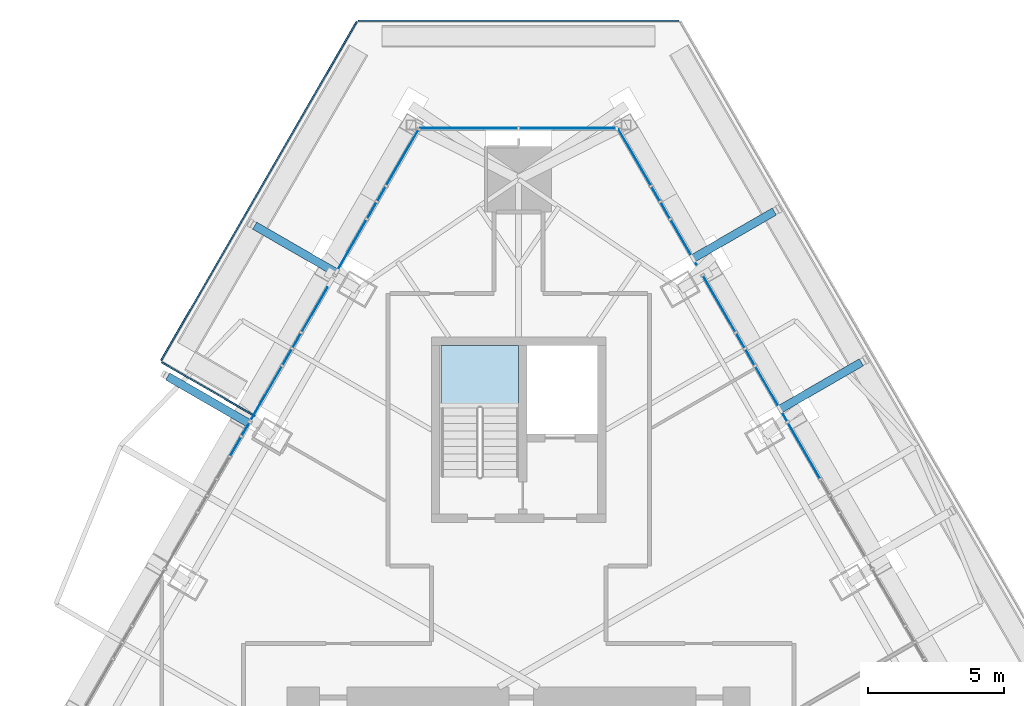
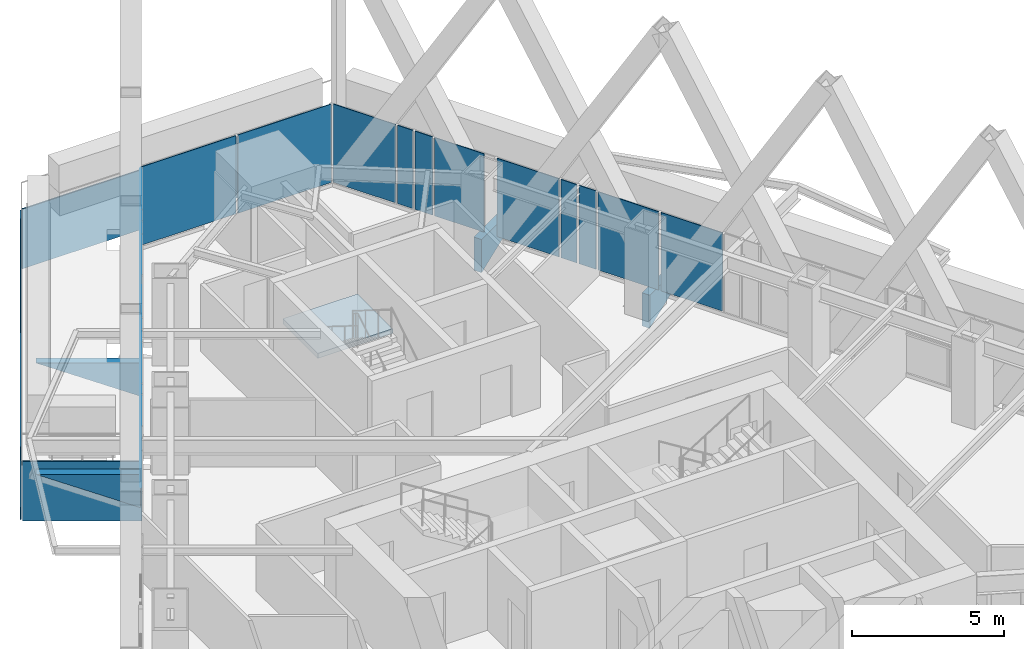
# One storey, part 15 of 23: 29 plates, 1 slab, 4 elements without a shape of their own.
"""IFC4 building model written with IfcOpenShell, lengths in metres."""

from ifc_helpers import new_model, si_unit, direction, frame, origin, place, context, subcontext, project, spatial, polyline, outline, extrude, material, layer, layer_set, type_object, element, aggregate, save


model = new_model("IFC4")

# Units and contexts
model_context = context("Model", 3, precision=1e-05, world=origin(), true_north=direction((0.0, 1.0)))
body_context = subcontext(model_context, "Body", "Model", "MODEL_VIEW")
ifc_project = project(units=[si_unit("LENGTHUNIT", "METRE"), si_unit("AREAUNIT", "SQUARE_METRE"), si_unit("VOLUMEUNIT", "CUBIC_METRE"), si_unit("PLANEANGLEUNIT", "RADIAN"), si_unit("MASSUNIT", "GRAM", prefix="KILO")], contexts=[model_context])

# Site, building, storey
site_placement = place(None, origin())
site = spatial("IfcSite", under=ifc_project, at=site_placement, CompositionType="ELEMENT")
building_placement = place(site_placement, origin())
building = spatial("IfcBuilding", under=site, at=building_placement, Name="Firuza Gate Tower and Library", CompositionType="ELEMENT")
storey_placement = place(building_placement, frame((0.0, 0.0, 291.60009765625)))
storey = spatial("IfcBuildingStorey", under=building, at=storey_placement, Name="L70", CompositionType="ELEMENT", Elevation=291.60009765625)

# Curtain wall, plates
ifc_material_1 = material(Name="Aluminium 6063-T6", Category="aluminium")
ifc_layer_1 = layer(ifc_material_1, 0.14990234375)
ifc_layer_set_1 = layer_set([ifc_layer_1], Name="Corner curtain wall, chamfers")
curtain_wall_type_1 = type_object("IfcCurtainWallType", Name="Corner curtain wall, chamfers", PredefinedType="NOTDEFINED", material=ifc_layer_set_1)
placement = place(storey_placement, origin())
curtain_wall_1 = element("IfcCurtainWall", 1, at=placement, inside=storey, type_object=curtain_wall_type_1, Name="CW4 L70 N corner", PredefinedType="NOTDEFINED")
ifc_material_2 = material(Name="Fritted glass", Category="glass")
ifc_layer_2 = layer(ifc_material_2, 0.030029296875)
ifc_layer_set_2 = layer_set([ifc_layer_2], Name="Fritted glass unit, corners")
plate_type_1 = type_object("IfcPlateType", Name="Fritted glass unit, corners", PredefinedType="CURTAIN_PANEL", material=ifc_layer_set_2)
plate_1_placement = place(storey_placement, frame((78.603271484375, 102.279296875, 0.14990234375), z_axis=(0.0, 1.0, 0.0), x_axis=(-1.0, 0.0, 0.0)))
plate_1 = element("IfcPlate", 2, at=plate_1_placement, type_object=plate_type_1, Name="Glass unit", PredefinedType="CURTAIN_PANEL", context=body_context, shape_type="SweptSolid", body=[
    extrude(outline(polyline([(0.0, 0.0), (3.563232421875, 0.0), (3.563232421875, 3.14990234375), (0.0, 3.14990234375), (0.0, 0.0)])), origin(), (0.0, 0.0, -1.0), 0.030029296875),
])
plate_2_placement = place(storey_placement, frame((74.9599609375, 102.279296875, 0.14990234375), z_axis=(0.0, 1.0, 0.0), x_axis=(-1.0, 0.0, 0.0)))
plate_2 = element("IfcPlate", 3, at=plate_2_placement, type_object=plate_type_1, Name="Glass unit", PredefinedType="CURTAIN_PANEL", context=body_context, shape_type="SweptSolid", body=[
    extrude(outline(polyline([(0.0, 0.0), (3.563232421875, 0.0), (3.563232421875, 3.14990234375), (0.0, 3.14990234375), (0.0, 0.0)])), origin(), (0.0, 0.0, -1.0), 0.030029296875),
])
aggregate(curtain_wall_1, [plate_1, plate_2])

ifc_material_3 = material(Name="Aluminium 6063-T6", Category="aluminium")
ifc_layer_3 = layer(ifc_material_3, 0.14990234375)
ifc_layer_set_3 = layer_set([ifc_layer_3], Name="Unitised curtain wall, residences")
curtain_wall_type_2 = type_object("IfcCurtainWallType", Name="Unitised curtain wall, residences", PredefinedType="NOTDEFINED", material=ifc_layer_set_3)
curtain_wall_2 = element("IfcCurtainWall", 4, at=placement, inside=storey, type_object=curtain_wall_type_2, Name="CW3 L70 E face", PredefinedType="NOTDEFINED")
ifc_material_4 = material(Name="Fritted glass", Category="glass")
ifc_layer_4 = layer(ifc_material_4, 0.030029296875)
ifc_layer_set_4 = layer_set([ifc_layer_4], Name="Fritted glass unit, residences")
plate_type_2 = type_object("IfcPlateType", Name="Fritted glass unit, residences", PredefinedType="CURTAIN_PANEL", material=ifc_layer_set_4)
plate_3_placement = place(storey_placement, frame((83.6689453125, 93.589599609375, 0.14990234375), z_axis=(0.865934103889, 0.500158102726, 0.0), x_axis=(-0.500158102726, 0.865934103889, 0.0)))
plate_3 = element("IfcPlate", 5, at=plate_3_placement, type_object=plate_type_2, Name="Glass unit", PredefinedType="CURTAIN_PANEL", context=body_context, shape_type="SweptSolid", body=[
    extrude(outline(polyline([(0.0, 0.0), (0.6467681446368728, 0.0), (0.6467681446368728, 3.149902343750001), (0.0, 3.149902343750001), (0.0, 0.0)])), origin(), (0.0, 0.0, -1.0), 0.030029296875),
])
plate_4_placement = place(storey_placement, frame((83.3056640625, 94.218994140625, 0.14990234375), z_axis=(0.866022320763, 0.500005339912, 0.0), x_axis=(-0.500005339912, 0.866022320763, 0.0)))
plate_4 = element("IfcPlate", 6, at=plate_4_placement, type_object=plate_type_2, Name="Glass unit", PredefinedType="CURTAIN_PANEL", context=body_context, shape_type="SweptSolid", body=[
    extrude(outline(polyline([(0.0, 0.0), (0.5976498672044789, 0.0), (0.5976498672044789, 3.14990234375), (0.0, 3.14990234375), (0.0, 0.0)])), origin(), (0.0, 0.0, -1.0), 0.030029296875),
])
plate_5_placement = place(storey_placement, frame((80.5625, 98.970458984375, 0.14990234375), z_axis=(0.865932775861, 0.500160401961, 0.0), x_axis=(-0.500160401961, 0.865932775861, 0.0)))
plate_5 = element("IfcPlate", 7, at=plate_5_placement, type_object=plate_type_2, Name="Glass unit", PredefinedType="CURTAIN_PANEL", context=body_context, shape_type="SweptSolid", body=[
    extrude(outline(polyline([(0.0, 0.0), (0.6594564125459034, 0.0), (0.6594564125459034, 3.14990234375), (0.0, 3.14990234375), (0.0, 0.0)])), origin(), (0.0, 0.0, -1.0), 0.030029296875),
])
plate_6_placement = place(storey_placement, frame((80.192626953125, 99.610595703125, 0.14990234375), z_axis=(0.866130014302, 0.499818765479, 0.0), x_axis=(-0.499818765479, 0.866130014302, 0.0)))
plate_6 = element("IfcPlate", 8, at=plate_6_placement, type_object=plate_type_2, Name="Glass unit", PredefinedType="CURTAIN_PANEL", context=body_context, shape_type="SweptSolid", body=[
    extrude(outline(polyline([(0.0, 0.0), (0.5851730446130646, 0.0), (0.5851730446130646, 3.14990234375), (0.0, 3.14990234375), (0.0, 0.0)])), origin(), (0.0, 0.0, -1.0), 0.030029296875),
])

curtain_wall_3 = element("IfcCurtainWall", 9, at=placement, inside=storey, type_object=curtain_wall_type_2, Name="CW3 L70 W face", PredefinedType="NOTDEFINED")
plate_7_placement = place(storey_placement, frame((70.099853515625, 100.117431640625, 0.14990234375), z_axis=(-0.866130014302, 0.499818765479, 0.0), x_axis=(-0.499818765479, -0.866130014302, 0.0)))
plate_7 = element("IfcPlate", 10, at=plate_7_placement, type_object=plate_type_2, Name="Glass unit", PredefinedType="CURTAIN_PANEL", context=body_context, shape_type="SweptSolid", body=[
    extrude(outline(polyline([(0.0, 0.0), (0.5851730446130646, 0.0), (0.5851730446130646, 3.14990234375), (0.0, 3.14990234375), (0.0, 0.0)])), origin(), (0.0, 0.0, -1.0), 0.030029296875),
])
plate_8_placement = place(storey_placement, frame((69.767333984375, 99.54150390625, 0.14990234375), z_axis=(-0.865932775861, 0.500160401961, 0.0), x_axis=(-0.500160401961, -0.865932775861, 0.0)))
plate_8 = element("IfcPlate", 11, at=plate_8_placement, type_object=plate_type_2, Name="Glass unit", PredefinedType="CURTAIN_PANEL", context=body_context, shape_type="SweptSolid", body=[
    extrude(outline(polyline([(0.0, 0.0), (0.6594564125459034, 0.0), (0.6594564125459034, 3.14990234375), (0.0, 3.14990234375), (0.0, 0.0)])), origin(), (0.0, 0.0, -1.0), 0.030029296875),
])
plate_9_placement = place(storey_placement, frame((66.9931640625, 94.736572265625, 0.14990234375), z_axis=(-0.866022320763, 0.500005339912, 0.0), x_axis=(-0.500005339912, -0.866022320763, 0.0)))
plate_9 = element("IfcPlate", 12, at=plate_9_placement, type_object=plate_type_2, Name="Glass unit", PredefinedType="CURTAIN_PANEL", context=body_context, shape_type="SweptSolid", body=[
    extrude(outline(polyline([(0.0, 0.0), (0.5976498672044789, 0.0), (0.5976498672044789, 3.14990234375), (0.0, 3.14990234375), (0.0, 0.0)])), origin(), (0.0, 0.0, -1.0), 0.030029296875),
])
plate_10_placement = place(storey_placement, frame((66.654541015625, 94.149658203125, 0.14990234375), z_axis=(-0.865934103889, 0.500158102726, 0.0), x_axis=(-0.500158102726, -0.865934103889, 0.0)))
plate_10 = element("IfcPlate", 13, at=plate_10_placement, type_object=plate_type_2, Name="Glass unit", PredefinedType="CURTAIN_PANEL", context=body_context, shape_type="SweptSolid", body=[
    extrude(outline(polyline([(0.0, 0.0), (0.6467681446368728, 0.0), (0.6467681446368728, 3.149902343750001), (0.0, 3.149902343750001), (0.0, 0.0)])), origin(), (0.0, 0.0, -1.0), 0.030029296875),
])
plate_11_placement = place(storey_placement, frame((65.097900390625, 91.453857421875, 1.764892578125), z_axis=(-0.865971243484, 0.500093796661, 0.0), x_axis=(-0.500093796661, -0.865971243484, 0.0)))
plate_11 = element("IfcPlate", 14, at=plate_11_placement, type_object=plate_type_2, Name="Glass unit", PredefinedType="CURTAIN_PANEL", context=body_context, shape_type="SweptSolid", body=[
    extrude(outline(polyline([(0.0, 0.0), (0.5311503597390093, 0.0), (0.5311503597390093, 1.534912109375), (0.0, 1.534912109375), (0.0, 0.0)])), origin(), (0.0, 0.0, -1.0), 0.030029296875),
])

# Plate
ifc_material_5 = material(Name="Glazed ceramic tile")
ifc_layer_5 = layer(ifc_material_5, 0.030029296875)
ifc_layer_set_5 = layer_set([ifc_layer_5], Name="Opaque ceramic panel, residences")
plate_type_3 = type_object("IfcPlateType", Name="Opaque ceramic panel, residences", PredefinedType="CURTAIN_PANEL", material=ifc_layer_set_5)
plate_12_placement = place(storey_placement, frame((86.073486328125, 89.4248046875, 0.14990234375), z_axis=(0.866041560861, 0.499972014079, 0.0), x_axis=(-0.499972014079, 0.866041560861, 0.0)))
plate_12 = element("IfcPlate", 15, at=plate_12_placement, type_object=plate_type_3, Name="Opaque ceramic panel", PredefinedType="CURTAIN_PANEL", context=body_context, shape_type="SweptSolid", body=[
    extrude(outline(polyline([(0.0, 0.0), (2.342904574185333, 0.0), (2.342904574185333, 3.1499023437499996), (0.0, 3.1499023437499996), (0.0, 0.0)])), origin(), (0.0, 0.0, -1.0), 0.030029296875),
])

plate_13_placement = place(storey_placement, frame((84.862060546875, 91.523193359375, 0.14990234375), z_axis=(0.866012805984, 0.500021819396, 0.0), x_axis=(-0.500021819396, 0.866012805984, 0.0)))
plate_13 = element("IfcPlate", 16, at=plate_13_placement, type_object=plate_type_3, Name="Opaque ceramic panel", PredefinedType="CURTAIN_PANEL", context=body_context, shape_type="SweptSolid", body=[
    extrude(outline(polyline([(0.0, 0.0), (2.3060517104381577, 0.0), (2.3060517104381577, 3.14990234375), (0.0, 3.14990234375), (0.0, 0.0)])), origin(), (0.0, 0.0, -1.0), 0.030029296875),
])

plate_14_placement = place(storey_placement, frame((82.966796875, 94.8056640625, 0.14990234375), z_axis=(0.866040610509, 0.499973660256, 0.0), x_axis=(-0.499973660256, 0.866040610509, 0.0)))
plate_14 = element("IfcPlate", 17, at=plate_14_placement, type_object=plate_type_3, Name="Opaque ceramic panel", PredefinedType="CURTAIN_PANEL", context=body_context, shape_type="SweptSolid", body=[
    extrude(outline(polyline([(0.0, 0.0), (2.3555928414270833, 0.0), (2.3555928414270833, 3.14990234375), (0.0, 3.14990234375), (0.0, 0.0)])), origin(), (0.0, 0.0, -1.0), 0.030029296875),
])

plate_15_placement = place(storey_placement, frame((81.541015625, 97.275146484375, 0.14990234375), z_axis=(0.86603400694, 0.499985098601, 0.0), x_axis=(-0.499985098601, 0.86603400694, 0.0)))
plate_15 = element("IfcPlate", 18, at=plate_15_placement, type_object=plate_type_3, Name="Opaque ceramic panel", PredefinedType="CURTAIN_PANEL", context=body_context, shape_type="SweptSolid", body=[
    extrude(outline(polyline([(0.0, 0.0), (1.8774973609235277, 0.0), (1.8774973609235277, 3.14990234375), (0.0, 3.14990234375), (0.0, 0.0)])), origin(), (0.0, 0.0, -1.0), 0.030029296875),
])

plate_16_placement = place(storey_placement, frame((79.860107421875, 100.186767578125, 0.14990234375), z_axis=(0.866032766724, 0.499987246797, 0.0), x_axis=(-0.499987246797, 0.866032766724, 0.0)))
plate_16 = element("IfcPlate", 19, at=plate_16_placement, type_object=plate_type_3, Name="Opaque ceramic panel", PredefinedType="CURTAIN_PANEL", context=body_context, shape_type="SweptSolid", body=[
    extrude(outline(polyline([(0.0, 0.0), (2.36773617369069, 0.0), (2.36773617369069, 3.14990234375), (0.0, 3.14990234375), (0.0, 0.0)])), origin(), (0.0, 0.0, -1.0), 0.030029296875),
])

aggregate(curtain_wall_2, [plate_12, plate_13, plate_3, plate_4, plate_14, plate_15, plate_5, plate_6, plate_16])

plate_17_placement = place(storey_placement, frame((71.32373046875, 102.2373046875, 0.14990234375), z_axis=(-0.866032766724, 0.499987246797, 0.0), x_axis=(-0.499987246797, -0.866032766724, 0.0)))
plate_17 = element("IfcPlate", 20, at=plate_17_placement, type_object=plate_type_3, Name="Opaque ceramic panel", PredefinedType="CURTAIN_PANEL", context=body_context, shape_type="SweptSolid", body=[
    extrude(outline(polyline([(0.0, 0.0), (2.36773617369069, 0.0), (2.36773617369069, 3.14990234375), (0.0, 3.14990234375), (0.0, 0.0)])), origin(), (0.0, 0.0, -1.0), 0.030029296875),
])

plate_18_placement = place(storey_placement, frame((69.397705078125, 98.901123046875, 0.14990234375), z_axis=(-0.866040235429, 0.499974309957, 0.0), x_axis=(-0.499974309957, -0.866040235429, 0.0)))
plate_18 = element("IfcPlate", 21, at=plate_18_placement, type_object=plate_type_3, Name="Opaque ceramic panel", PredefinedType="CURTAIN_PANEL", context=body_context, shape_type="SweptSolid", body=[
    extrude(outline(polyline([(0.0, 0.0), (2.2935748753231344, 0.0), (2.2935748753231344, 3.14990234375), (0.0, 3.14990234375), (0.0, 0.0)])), origin(), (0.0, 0.0, -1.0), 0.030029296875),
])

plate_19_placement = place(storey_placement, frame((67.971923828125, 96.431640625, 0.14990234375), z_axis=(-0.86603400694, 0.499985098601, 0.0), x_axis=(-0.499985098601, -0.86603400694, 0.0)))
plate_19 = element("IfcPlate", 22, at=plate_19_placement, type_object=plate_type_3, Name="Opaque ceramic panel", PredefinedType="CURTAIN_PANEL", context=body_context, shape_type="SweptSolid", body=[
    extrude(outline(polyline([(0.0, 0.0), (1.8774973609235277, 0.0), (1.8774973609235277, 3.14990234375), (0.0, 3.14990234375), (0.0, 0.0)])), origin(), (0.0, 0.0, -1.0), 0.030029296875),
])

plate_20_placement = place(storey_placement, frame((66.291015625, 93.520263671875, 0.14990234375), z_axis=(-0.866012805984, 0.500021819396, 0.0), x_axis=(-0.500021819396, -0.866012805984, 0.0)))
plate_20 = element("IfcPlate", 23, at=plate_20_placement, type_object=plate_type_3, Name="Opaque ceramic panel", PredefinedType="CURTAIN_PANEL", context=body_context, shape_type="SweptSolid", body=[
    extrude(outline(polyline([(0.0, 0.0), (2.3060517104381577, 0.0), (2.3060517104381577, 3.14990234375), (0.0, 3.14990234375), (0.0, 0.0)])), origin(), (0.0, 0.0, -1.0), 0.030029296875),
])

plate_21_placement = place(storey_placement, frame((65.097900390625, 91.453857421875, 0.14990234375), z_axis=(-0.866036123695, 0.499981432111, 0.0), x_axis=(-0.499981432111, -0.866036123695, 0.0)))
plate_21 = element("IfcPlate", 24, at=plate_21_placement, type_object=plate_type_3, Name="Opaque ceramic panel", PredefinedType="CURTAIN_PANEL", context=body_context, shape_type="SweptSolid", body=[
    extrude(outline(polyline([(0.0, 0.0), (1.3872585481760817, 0.0), (1.3872585481760817, 1.534912109375), (0.0, 1.534912109375), (0.0, 0.0)])), origin(), (0.0, 0.0, -1.0), 0.030029296875),
])

plate_22_placement = place(storey_placement, frame((64.792236328125, 90.924560546875, 1.764892578125), z_axis=(-0.866065857643, 0.499929925314, 0.0), x_axis=(-0.499929925314, -0.866065857643, 0.0)))
plate_22 = element("IfcPlate", 25, at=plate_22_placement, type_object=plate_type_3, Name="Opaque ceramic panel", PredefinedType="CURTAIN_PANEL", context=body_context, shape_type="SweptSolid", body=[
    extrude(outline(polyline([(0.0, 0.0), (1.7316880074869725, 0.0), (1.7316880074869725, 1.534912109375), (0.0, 1.534912109375), (0.0, 0.0)])), origin(), (0.0, 0.0, -1.0), 0.030029296875),
])

aggregate(curtain_wall_3, [plate_17, plate_7, plate_8, plate_18, plate_19, plate_9, plate_10, plate_20, plate_21, plate_11, plate_22])

# Stair, slab
ifc_material_6 = material(Name="Concrete C35/45", Category="concrete")
stair_type = type_object("IfcStairType", Name="Exit stair ST17", PredefinedType="HALF_TURN_STAIR", material=ifc_material_6)
stair = element("IfcStair", 26, at=placement, inside=storey, type_object=stair_type, Name="L70 Stair ST3", PredefinedType="HALF_TURN_STAIR")
ifc_material_7 = material(Name="Concrete C35/45", Category="concrete")
ifc_layer_6 = layer(ifc_material_7, 0.199951171875)
ifc_layer_set_6 = layer_set([ifc_layer_6], Name="Stair landing 200")
slab_type = type_object("IfcSlabType", Name="Stair landing 200", PredefinedType="LANDING", material=ifc_layer_set_6)
slab_placement = place(storey_placement, frame((0.0, 0.0, 1.5498046875)))
slab = element("IfcSlab", 27, at=slab_placement, type_object=slab_type, Name="ST3 landing 1", PredefinedType="LANDING", context=body_context, shape_type="SweptSolid", body=[
    extrude(outline(polyline([(75.0, 91.989990234375), (75.0, 94.300048828125), (72.159912109375, 94.300048828125), (72.159912109375, 91.989990234375), (75.0, 91.989990234375)])), origin(), (0.0, 0.0, 1.0), 0.2001953125),
])
aggregate(stair, [slab])

# Plates
ifc_material_8 = material(Name="Steel S355", Category="steel")
ifc_layer_7 = layer(ifc_material_8, 0.300048828125)
ifc_layer_set_7 = layer_set([ifc_layer_7], Name="Tray bracket web 300 Steel S355")
plate_type_4 = type_object("IfcPlateType", Name="Tray bracket web 300 Steel S355", PredefinedType="SHEET", material=ifc_layer_set_7)
plate_23_placement = place(storey_placement, frame((84.534912109375, 92.091064453125, -0.2001953125), z_axis=(-0.500028509433, 0.86600894323, 0.0), x_axis=(0.86600894323, 0.500028509433, 0.0)))
element("IfcPlate", 28, at=plate_23_placement, inside=storey, type_object=plate_type_4, Name="Tray bracket web L70 col:L69:E5", PredefinedType="SHEET", context=body_context, shape_type="SweptSolid", body=[
    extrude(outline(polyline([(0.0, 0.0), (3.4294919542601163, 0.0), (0.0, 1.333984375), (0.0, 0.0)])), origin(), (0.0, 0.0, -1.0), 0.300048828125),
])
plate_24_placement = place(storey_placement, frame((81.340087890625, 97.625, -0.2001953125), z_axis=(-0.499868315584, 0.86610141847, 0.0), x_axis=(0.86610141847, 0.499868315584, 0.0)))
element("IfcPlate", 29, at=plate_24_placement, inside=storey, type_object=plate_type_4, Name="Tray bracket web L70 col:L69:E6", PredefinedType="SHEET", context=body_context, shape_type="SweptSolid", body=[
    extrude(outline(polyline([(0.0, 0.0), (3.4291257811032914, 0.0), (0.0, 1.333984375), (0.0, 0.0)])), origin(), (0.0, 0.0, -1.0), 0.300048828125),
])
plate_25_placement = place(storey_placement, frame((68.2099609375, 96.844970703125, -0.2001953125), z_axis=(-0.500081895979, -0.865978115955, 0.0), x_axis=(-0.865978115955, 0.500081895979, 0.0)))
element("IfcPlate", 30, at=plate_25_placement, inside=storey, type_object=plate_type_4, Name="Tray bracket web L70 col:L69:W1", PredefinedType="SHEET", context=body_context, shape_type="SweptSolid", body=[
    extrude(outline(polyline([(0.0, 0.0), (3.429614038049955, 0.0), (0.0, 1.333984375), (0.0, 0.0)])), origin(), (0.0, 0.0, -1.0), 0.300048828125),
])
plate_26_placement = place(storey_placement, frame((65.014892578125, 91.31201171875, -0.2001953125), z_axis=(-0.49981490623, -0.866132241352, 0.0), x_axis=(-0.866132241352, 0.49981490623, 0.0)))
element("IfcPlate", 31, at=plate_26_placement, inside=storey, type_object=plate_type_4, Name="Tray bracket web L70 col:L69:W2", PredefinedType="SHEET", context=body_context, shape_type="SweptSolid", body=[
    extrude(outline(polyline([(0.0, 0.0), (3.4290037494598873, 0.0), (0.0, 1.333984375), (0.0, 0.0)])), origin(), (0.0, 0.0, -1.0), 0.300048828125),
])
ifc_material_9 = material(Name="Aluminium 6063-T6", Category="aluminium")
ifc_layer_8 = layer(ifc_material_9, 0.050048828125)
ifc_layer_set_8 = layer_set([ifc_layer_8], Name="Tray fascia panel 50")
plate_type_5 = type_object("IfcPlateType", Name="Tray fascia panel 50", PredefinedType="SHEET", material=ifc_layer_set_8)
plate_27_placement = place(storey_placement, frame((80.87890625, 106.239013671875, -2.400146484375), z_axis=(0.0, 1.0, 0.0), x_axis=(-1.0, 0.0, 0.0)))
element("IfcPlate", 32, at=plate_27_placement, inside=storey, type_object=plate_type_5, Name="Tray fascia L70 3", PredefinedType="SHEET", context=body_context, shape_type="SweptSolid", body=[
    extrude(outline(polyline([(0.0, 0.0), (11.7578125, 0.0), (11.7578125, 2.400146484375), (0.0, 2.400146484375), (0.0, 0.0)])), origin(), (0.0, 0.0, -1.0), 0.050048828125),
])
plate_28_placement = place(storey_placement, frame((69.031982421875, 106.18798828125, -2.400146484375), z_axis=(-0.866040783341, 0.499973360881, 0.0), x_axis=(-0.499973360881, -0.866040783341, 0.0)))
element("IfcPlate", 33, at=plate_28_placement, inside=storey, type_object=plate_type_5, Name="Tray fascia L70 4", PredefinedType="SHEET", context=body_context, shape_type="SweptSolid", body=[
    extrude(outline(polyline([(0.0, 0.0), (14.346955786768174, 0.0), (14.346955786768174, 2.400146484375), (0.0, 2.400146484375), (0.0, 0.0)])), origin(), (0.0, 0.0, -1.0), 0.050048828125),
])
plate_29_placement = place(storey_placement, frame((61.887939453125, 93.654052734375, -2.400146484375), z_axis=(-0.49999779889, -0.866026674592, 0.0), x_axis=(0.866026674592, -0.49999779889, 0.0)))
element("IfcPlate", 34, at=plate_29_placement, inside=storey, type_object=plate_type_5, Name="Tray fascia L70 5", PredefinedType="SHEET", context=body_context, shape_type="SweptSolid", body=[
    extrude(outline(polyline([(0.0, 0.0), (3.9399587508162695, 0.0), (3.9399587508162695, 2.400146484375), (0.0, 2.400146484375), (0.0, 0.0)])), origin(), (0.0, 0.0, -1.0), 0.050048828125),
])

save(model, "model.ifc")
